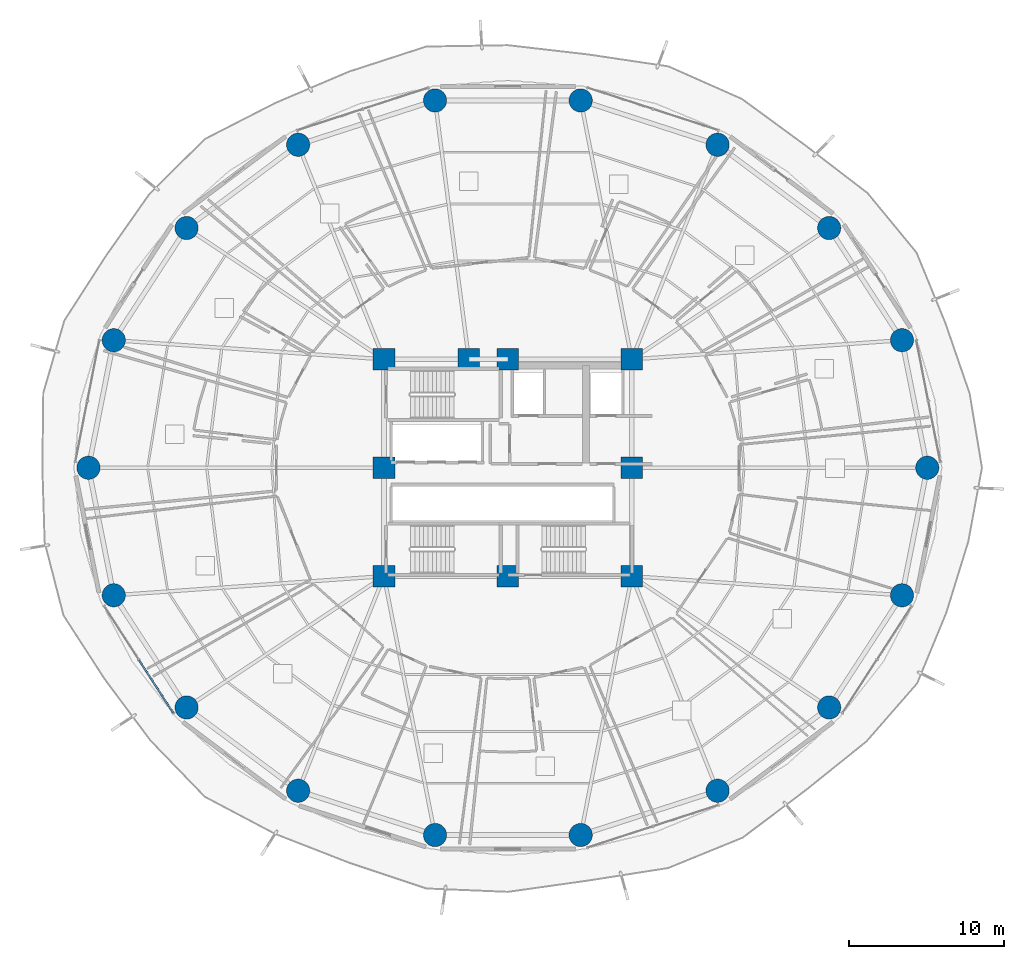
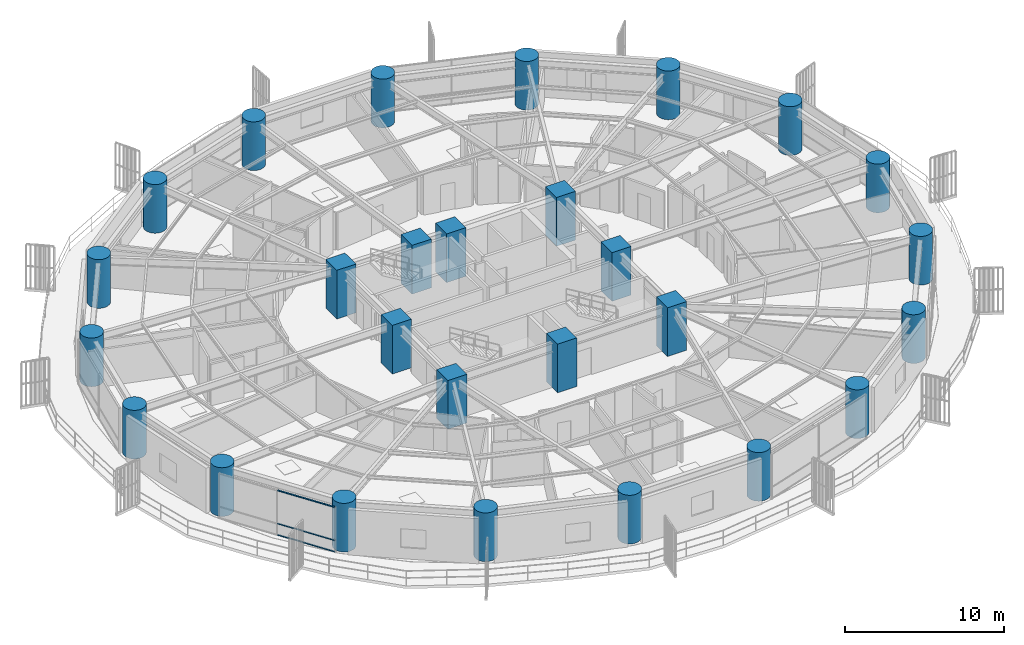
# One storey, part 1 of 33: 27 columns, 3 members, 1 element without a shape of its own.
"""IFC4 building model written with IfcOpenShell, lengths in metres."""

from ifc_helpers import new_model, si_unit, direction, frame, origin, origin_2d, place, context, subcontext, project, spatial, rectangle, hollow_rectangle, circle, extrude, material, layer, layer_set, material_profile, profile_set, type_object, element, aggregate, save


model = new_model("IFC4")

# Units and contexts
model_context = context("Model", 3, precision=1e-05, world=origin(), true_north=direction((0.0, 1.0)))
body_context = subcontext(model_context, "Body", "Model", "MODEL_VIEW")
ifc_project = project(units=[si_unit("LENGTHUNIT", "METRE"), si_unit("AREAUNIT", "SQUARE_METRE"), si_unit("VOLUMEUNIT", "CUBIC_METRE"), si_unit("PLANEANGLEUNIT", "RADIAN"), si_unit("MASSUNIT", "GRAM", prefix="KILO")], contexts=[model_context])

# Site, building, storey
site_placement = place(None, origin())
site = spatial("IfcSite", under=ifc_project, at=site_placement, CompositionType="ELEMENT")
building_placement = place(site_placement, origin())
building = spatial("IfcBuilding", under=site, at=building_placement, Name="Kelanora Arch Commons", CompositionType="ELEMENT")
storey_placement = place(building_placement, frame((0.0, 0.0, 45.0)))
storey = spatial("IfcBuildingStorey", under=building, at=storey_placement, Name="L11", CompositionType="ELEMENT", Elevation=45.0)

# Columns
ifc_material_1 = material(Name="Concrete C60/75", Category="concrete")
ifc_material_profile_1 = material_profile(ifc_material_1, circle(Radius=0.75, at=origin_2d()), Name="RCC1500")
ifc_profile_set_1 = profile_set([ifc_material_profile_1], Name="Concrete C60/75")
column_type_1 = type_object("IfcColumnType", Name="COL-PERIM-Z1", PredefinedType="COLUMN", material=ifc_profile_set_1)
for number, where, z_axis, x_axis, name in (
    (1, (101.080078125, 58.0, 0.0), (0.0, 0.0, 1.0), (1.0, 0.0, 0.0), "Perimeter Ring Column CP-00 L11"),
    (2, (99.447021484375, 66.23583984375, 0.0), (0.0, 0.0, 1.0), (1.0, 0.0, 0.0), "Perimeter Ring Column CP-02 L11"),
    (3, (94.744384765625, 73.478271484375, 0.0), (0.0, 0.0, 1.0), (1.0, 0.0, 0.0), "Perimeter Ring Column CP-04 L11"),
    (4, (87.5400390625, 78.85400390625, 0.0), (0.0, 0.0, 1.0), (1.0, 0.0, 0.0), "Perimeter Ring Column CP-06 L11"),
    (5, (78.702392578125, 81.714111328125, 0.0), (0.0, 0.0, 1.0), (1.0, 0.0, 0.0), "Perimeter Ring Column CP-08 L11"),
    (6, (69.297607421875, 81.714111328125, 0.0), (0.0, 0.0, 1.0), (1.0, 0.0, 0.0), "Perimeter Ring Column CP-10 L11"),
    (7, (60.4599609375, 78.85400390625, 0.0), (0.0, 0.0, 1.0), (1.0, 0.0, 0.0), "Perimeter Ring Column CP-12 L11"),
    (8, (53.255615234375, 73.478271484375, 0.0), (0.0, 0.0, 1.0), (1.0, 0.0, 0.0), "Perimeter Ring Column CP-14 L11"),
    (9, (48.552978515625, 66.23583984375, 0.0), (0.0, 0.0, 1.0), (1.0, 0.0, 0.0), "Perimeter Ring Column CP-16 L11"),
    (10, (46.919921875, 58.0, 0.0), (0.0, 0.0, 1.0), (1.0, 0.0, 0.0), "Perimeter Ring Column CP-18 L11"),
    (11, (48.552978515625, 49.76416015625, 0.0), (0.0, 0.0, 1.0), (1.0, 0.0, 0.0), "Perimeter Ring Column CP-20 L11"),
    (12, (53.255615234375, 42.521728515625, 0.0), (0.0, 0.0, 1.0), (1.0, 0.0, 0.0), "Perimeter Ring Column CP-22 L11"),
    (13, (60.4599609375, 37.14599609375, 0.0), (0.0, 0.0, 1.0), (1.0, 0.0, 0.0), "Perimeter Ring Column CP-24 L11"),
    (14, (69.297607421875, 34.285888671875, 0.0), (0.0, 0.0, 1.0), (1.0, 0.0, 0.0), "Perimeter Ring Column CP-26 L11"),
    (15, (78.702392578125, 34.285888671875, 0.0), (0.0, 0.0, 1.0), (1.0, 0.0, 0.0), "Perimeter Ring Column CP-28 L11"),
    (16, (87.5400390625, 37.14599609375, 0.0), (0.0, 0.0, 1.0), (1.0, 0.0, 0.0), "Perimeter Ring Column CP-30 L11"),
    (17, (94.744384765625, 42.521728515625, 0.0), (0.0, 0.0, 1.0), (1.0, 0.0, 0.0), "Perimeter Ring Column CP-32 L11"),
    (18, (99.447021484375, 49.76416015625, 0.0), (0.0, 0.0, 1.0), (1.0, 0.0, 0.0), "Perimeter Ring Column CP-34 L11"),
):
    element("IfcColumn", number, at=place(storey_placement, frame(where, z_axis=z_axis, x_axis=x_axis)), inside=storey, type_object=column_type_1, Name=name, PredefinedType="COLUMN", context=body_context, shape_type="SweptSolid", body=[
        extrude(circle(Radius=0.75, at=origin_2d()), origin(), (0.0, 0.0, 1.0), 3.75),
    ])
ifc_material_profile_2 = material_profile(ifc_material_1, rectangle(XDim=1.39990234375, YDim=1.39990234375, at=origin_2d()), Name="RC1400x1400")
ifc_profile_set_2 = profile_set([ifc_material_profile_2], Name="Concrete C60/75")
column_type_2 = type_object("IfcColumnType", Name="COL-PIL-LOW", PredefinedType="PILASTER", material=ifc_profile_set_2)
for number, where, z_axis, x_axis, name in (
    (19, (66.0, 51.0, 0.0), (0.0, 0.0, 1.0), (1.0, 0.0, 0.0), "Core Pilaster Column CP1 L11"),
    (20, (74.0, 51.0, 0.0), (0.0, 0.0, 1.0), (1.0, 0.0, 0.0), "Core Pilaster Column CP2 L11"),
    (21, (82.0, 51.0, 0.0), (0.0, 0.0, 1.0), (1.0, 0.0, 0.0), "Core Pilaster Column CP3 L11"),
    (22, (82.0, 58.0, 0.0), (0.0, 0.0, 1.0), (1.0, 0.0, 0.0), "Core Pilaster Column CP4 L11"),
    (23, (82.0, 65.0, 0.0), (0.0, 0.0, 1.0), (1.0, 0.0, 0.0), "Core Pilaster Column CP5 L11"),
    (24, (74.0, 65.0, 0.0), (0.0, 0.0, 1.0), (1.0, 0.0, 0.0), "Core Pilaster Column CP6 L11"),
    (25, (71.47998046875, 65.0, 0.0), (0.0, 0.0, 1.0), (1.0, 0.0, 0.0), "Core Pilaster Column CP9 L11"),
    (26, (66.0, 65.0, 0.0), (0.0, 0.0, 1.0), (1.0, 0.0, 0.0), "Core Pilaster Column CP7 L11"),
    (27, (66.0, 58.0, 0.0), (0.0, 0.0, 1.0), (1.0, 0.0, 0.0), "Core Pilaster Column CP8 L11"),
):
    element("IfcColumn", number, at=place(storey_placement, frame(where, z_axis=z_axis, x_axis=x_axis)), inside=storey, type_object=column_type_2, Name=name, PredefinedType="PILASTER", context=body_context, shape_type="SweptSolid", body=[
        extrude(rectangle(XDim=1.39990234375, YDim=1.39990234375, at=origin_2d()), origin(), (0.0, 0.0, 1.0), 3.75),
    ])

# Curtain wall, members
ifc_material_2 = material(Name="Terracotta ceramic-fritted low-E glass and aluminium", Category="masonry")
ifc_layer = layer(ifc_material_2, 0.159912109375)
ifc_layer_set = layer_set([ifc_layer], Name="Terracotta ceramic-fritted low-E glass and aluminium")
curtain_wall_type = type_object("IfcCurtainWallType", Name="CW-SYS-01", PredefinedType="NOTDEFINED", material=ifc_layer_set)
curtain_wall_placement = place(storey_placement, origin())
curtain_wall = element("IfcCurtainWall", 28, at=curtain_wall_placement, inside=storey, type_object=curtain_wall_type, Name="Unitised Curtain Wall L11-B10", PredefinedType="NOTDEFINED")
ifc_material_3 = material(Name="Powder-coated aluminium terracotta", Category="masonry")
ifc_material_profile_3 = material_profile(ifc_material_3, hollow_rectangle(XDim=0.1201171875, YDim=0.06005859375, WallThickness=0.0048828125, InnerFilletRadius=0.0048828125, OuterFilletRadius=0.010009765625, at=origin_2d()), Name="CWT120x60")
ifc_profile_set_3 = profile_set([ifc_material_profile_3], Name="Powder-coated aluminium terracotta")
member_type = type_object("IfcMemberType", Name="CWT-STD", PredefinedType="USERDEFINED", material=ifc_profile_set_3)
member_1_placement = place(storey_placement, frame((50.185546875, 45.588134765625, 0.030029296875), z_axis=(0.542997414293, -0.839734367566, 0.0), x_axis=(0.839734367566, 0.542997414293, 0.0)))
member_1 = element("IfcMember", 29, at=member_1_placement, type_object=member_type, Name="CW-01 transom 2.1", ObjectType="TRANSOM", PredefinedType="USERDEFINED", context=body_context, shape_type="SweptSolid", body=[
    extrude(hollow_rectangle(XDim=0.1201171875, YDim=0.06005859375, WallThickness=0.0048828125, InnerFilletRadius=0.0048828125, OuterFilletRadius=0.010009765625, at=origin_2d()), origin(), (0.0, 0.0, 1.0), 4.067626953125),
])
member_2_placement = place(storey_placement, frame((50.185546875, 45.588134765625, 0.89990234375), z_axis=(0.542997414293, -0.839734367566, 0.0), x_axis=(0.839734367566, 0.542997414293, 0.0)))
member_2 = element("IfcMember", 30, at=member_2_placement, type_object=member_type, Name="CW-01 transom 2.2", ObjectType="TRANSOM", PredefinedType="USERDEFINED", context=body_context, shape_type="SweptSolid", body=[
    extrude(hollow_rectangle(XDim=0.1201171875, YDim=0.06005859375, WallThickness=0.0048828125, InnerFilletRadius=0.0048828125, OuterFilletRadius=0.010009765625, at=origin_2d()), origin(), (0.0, 0.0, 1.0), 4.067626953125),
])
member_3_placement = place(storey_placement, frame((50.185546875, 45.588134765625, 3.445068359375), z_axis=(0.542997414293, -0.839734367566, 0.0), x_axis=(0.839734367566, 0.542997414293, 0.0)))
member_3 = element("IfcMember", 31, at=member_3_placement, type_object=member_type, Name="CW-01 transom 2.3", ObjectType="TRANSOM", PredefinedType="USERDEFINED", context=body_context, shape_type="SweptSolid", body=[
    extrude(hollow_rectangle(XDim=0.1201171875, YDim=0.06005859375, WallThickness=0.0048828125, InnerFilletRadius=0.0048828125, OuterFilletRadius=0.010009765625, at=origin_2d()), origin(), (0.0, 0.0, 1.0), 4.067626953125),
])
aggregate(curtain_wall, [member_1, member_2, member_3])

save(model, "model.ifc")
